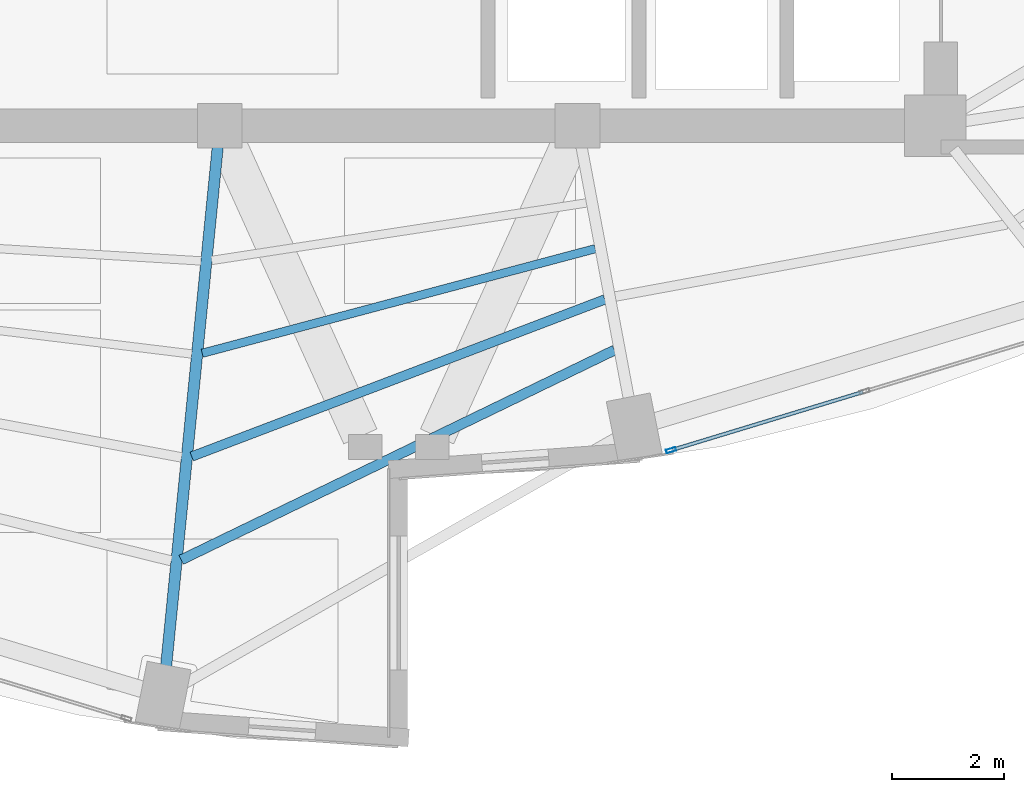
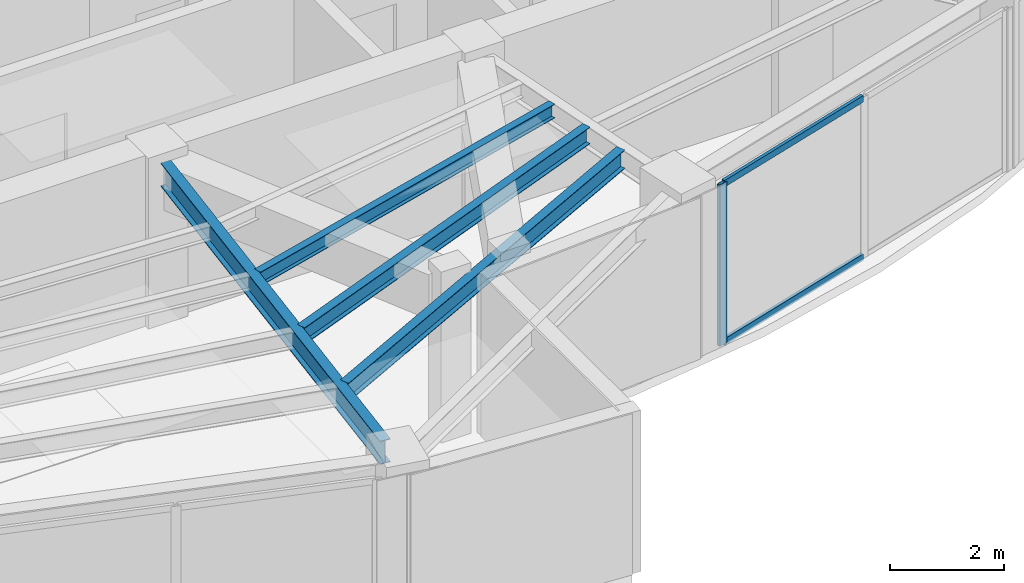
# One storey, part 6 of 23: 4 beams, 3 members, 1 element without a shape of its own.
"""IFC4 building model written with IfcOpenShell, lengths in metres."""

from ifc_helpers import new_model, si_unit, direction, frame, origin, origin_2d, place, context, subcontext, project, spatial, hollow_rectangle, i_section, extrude, material, layer, layer_set, material_profile, profile_set, type_object, element, aggregate, save


model = new_model("IFC4")

# Units and contexts
model_context = context("Model", 3, precision=1e-05, world=origin(), true_north=direction((0.0, 1.0)))
body_context = subcontext(model_context, "Body", "Model", "MODEL_VIEW")
ifc_project = project(units=[si_unit("LENGTHUNIT", "METRE"), si_unit("AREAUNIT", "SQUARE_METRE"), si_unit("VOLUMEUNIT", "CUBIC_METRE"), si_unit("PLANEANGLEUNIT", "RADIAN"), si_unit("MASSUNIT", "GRAM", prefix="KILO")], contexts=[model_context])

# Site, building, storey
site_placement = place(None, origin())
site = spatial("IfcSite", under=ifc_project, at=site_placement, CompositionType="ELEMENT")
building_placement = place(site_placement, origin())
building = spatial("IfcBuilding", under=site, at=building_placement, Name="Lazwardi Medical Tower", CompositionType="ELEMENT")
storey_placement = place(building_placement, frame((0.0, 0.0, 202.1279296875)))
storey = spatial("IfcBuildingStorey", under=building, at=storey_placement, Name="L52", CompositionType="ELEMENT", Elevation=202.1279296875)

# Beams
ifc_material_1 = material(Name="Steel S355", Category="steel")
ifc_material_profile_1 = material_profile(ifc_material_1, i_section(OverallWidth=0.199951171875, OverallDepth=0.5, WebThickness=0.01025390625, FlangeThickness=0.01611328125, at=origin_2d()), Name="IPE 500")
ifc_profile_set_1 = profile_set([ifc_material_profile_1], Name="Steel S355")
beam_type_1 = type_object("IfcBeamType", Name="BM-RG-W3", PredefinedType="BEAM", material=ifc_profile_set_1)
beam_1_placement = place(storey_placement, frame((31.8388671875, 10.734130859375, 3.197998046875), z_axis=(0.098954361922, 0.995091972763, 0.0), x_axis=(-0.995091972763, 0.098954361922, 0.0)))
element("IfcBeam", 1, at=beam_1_placement, inside=storey, type_object=beam_type_1, Name="Radial girder RG-04 R16 L52", PredefinedType="BEAM", context=body_context, shape_type="SweptSolid", body=[
    extrude(i_section(OverallWidth=0.199951171875, OverallDepth=0.5, WebThickness=0.01025390625, FlangeThickness=0.01611328125, at=origin_2d()), origin(), (0.0, 0.0, 1.0), 9.32861328125),
])
ifc_material_profile_2 = material_profile(ifc_material_1, i_section(OverallWidth=0.179931640625, OverallDepth=0.39990234375, WebThickness=0.008544921875, FlangeThickness=0.013427734375, at=origin_2d()), Name="IPE 400")
ifc_profile_set_2 = profile_set([ifc_material_profile_2], Name="Steel S355")
beam_type_2 = type_object("IfcBeamType", Name="BM-SJ-01", PredefinedType="JOIST", material=ifc_profile_set_2)
beam_2_placement = place(storey_placement, frame((32.10888671875, 12.632080078125, 3.248046875), z_axis=(0.900068885459, 0.435747635024, 0.0), x_axis=(-0.435747635024, 0.900068885459, 0.0)))
element("IfcBeam", 2, at=beam_2_placement, inside=storey, type_object=beam_type_2, Name="Secondary joist SJ-01 R1 B16 L52", PredefinedType="JOIST", context=body_context, shape_type="SweptSolid", body=[
    extrude(i_section(OverallWidth=0.179931640625, OverallDepth=0.39990234375, WebThickness=0.008544921875, FlangeThickness=0.013427734375, at=origin_2d()), origin(), (0.0, 0.0, 1.0), 8.612548828125),
])
ifc_material_profile_3 = material_profile(ifc_material_1, i_section(OverallWidth=0.169921875, OverallDepth=0.360107421875, WebThickness=0.008056640625, FlangeThickness=0.0126953125, at=origin_2d()), Name="IPE 360")
ifc_profile_set_3 = profile_set([ifc_material_profile_3], Name="Steel S355")
beam_type_3 = type_object("IfcBeamType", Name="BM-SJ-02", PredefinedType="JOIST", material=ifc_profile_set_3)
beam_3_placement = place(storey_placement, frame((32.296875, 14.48095703125, 3.26806640625), z_axis=(0.934714470268, 0.355399576633, 0.0), x_axis=(-0.355399576633, 0.934714470268, 0.0)))
element("IfcBeam", 3, at=beam_3_placement, inside=storey, type_object=beam_type_3, Name="Secondary joist SJ-02 R2 B16 L52", PredefinedType="JOIST", context=body_context, shape_type="SweptSolid", body=[
    extrude(i_section(OverallWidth=0.169921875, OverallDepth=0.360107421875, WebThickness=0.008056640625, FlangeThickness=0.0126953125, at=origin_2d()), origin(), (0.0, 0.0, 1.0), 7.908203125),
])
ifc_material_profile_4 = material_profile(ifc_material_1, i_section(OverallWidth=0.14990234375, OverallDepth=0.300048828125, WebThickness=0.007080078125, FlangeThickness=0.0107421875, at=origin_2d()), Name="IPE 300")
ifc_profile_set_4 = profile_set([ifc_material_profile_4], Name="Steel S355")
beam_type_4 = type_object("IfcBeamType", Name="BM-SJ-03", PredefinedType="JOIST", material=ifc_profile_set_4)
beam_4_placement = place(storey_placement, frame((32.484619140625, 16.328125, 3.298095703125), z_axis=(0.966369007826, 0.257159368316, 0.0), x_axis=(-0.257159368316, 0.966369007826, 0.0)))
element("IfcBeam", 4, at=beam_4_placement, inside=storey, type_object=beam_type_4, Name="Secondary joist SJ-03 R3 B16 L52", PredefinedType="JOIST", context=body_context, shape_type="SweptSolid", body=[
    extrude(i_section(OverallWidth=0.14990234375, OverallDepth=0.300048828125, WebThickness=0.007080078125, FlangeThickness=0.0107421875, at=origin_2d()), origin(), (0.0, 0.0, 1.0), 7.27685546875),
])

# Curtain wall, members
ifc_material_2 = material(Name="Anodised bronze aluminium and solar control glazing", Category="aluminium")
ifc_layer = layer(ifc_material_2, 0.18994140625)
ifc_layer_set = layer_set([ifc_layer], Name="Anodised bronze aluminium and solar control glazing")
curtain_wall_type = type_object("IfcCurtainWallType", Name="CW-SYS-04", PredefinedType="NOTDEFINED", material=ifc_layer_set)
curtain_wall_placement = place(storey_placement, origin())
curtain_wall = element("IfcCurtainWall", 5, at=curtain_wall_placement, inside=storey, type_object=curtain_wall_type, Name="L52 Unitised bronze curtain wall CW-04", PredefinedType="NOTDEFINED")
ifc_material_3 = material(Name="Anodised bronze aluminium", Category="aluminium")
ifc_material_profile_5 = material_profile(ifc_material_3, hollow_rectangle(XDim=0.06494140625, YDim=0.179931640625, WallThickness=0.00390625, at=origin_2d()), Name="ALU-MULLION 180x65x4")
ifc_profile_set_5 = profile_set([ifc_material_profile_5], Name="Anodised bronze aluminium")
member_type_1 = type_object("IfcMemberType", Name="CW-MUL-03", PredefinedType="MULLION", material=ifc_profile_set_5)
member_1_placement = place(storey_placement, frame((40.873046875, 14.593017578125, 0.0), z_axis=(0.0, 0.0, 1.0), x_axis=(-0.290581889515, 0.956850126972, 0.0)))
member_1 = element("IfcMember", 6, at=member_1_placement, type_object=member_type_1, Name="CW-04 mullion 1", PredefinedType="MULLION", context=body_context, shape_type="SweptSolid", body=[
    extrude(hollow_rectangle(XDim=0.06494140625, YDim=0.179931640625, WallThickness=0.00390625, at=origin_2d()), origin(), (0.0, 0.0, 1.0), 3.447998046875),
])
ifc_material_profile_6 = material_profile(ifc_material_3, hollow_rectangle(XDim=0.06494140625, YDim=0.139892578125, WallThickness=0.00341796875, at=origin_2d()), Name="ALU-TRANSOM 140x65x3.5")
ifc_profile_set_6 = profile_set([ifc_material_profile_6], Name="Anodised bronze aluminium")
member_type_2 = type_object("IfcMemberType", Name="CW-TRN-03", PredefinedType="USERDEFINED", material=ifc_profile_set_6)
member_2_placement = place(storey_placement, frame((40.904296875, 14.602294921875, 0.032470703125), z_axis=(0.956843409009, 0.290604010015, 0.0), x_axis=(-0.290604010015, 0.956843409009, 0.0)))
member_2 = element("IfcMember", 7, at=member_2_placement, type_object=member_type_2, Name="CW-04 transom 1.1", ObjectType="TRANSOM", PredefinedType="USERDEFINED", context=body_context, shape_type="SweptSolid", body=[
    extrude(hollow_rectangle(XDim=0.06494140625, YDim=0.139892578125, WallThickness=0.00341796875, at=origin_2d()), origin(), (0.0, 0.0, 1.0), 3.554443359375),
])
member_3_placement = place(storey_placement, frame((40.904296875, 14.602294921875, 3.41552734375), z_axis=(0.956843409009, 0.290604010015, 0.0), x_axis=(-0.290604010015, 0.956843409009, 0.0)))
member_3 = element("IfcMember", 8, at=member_3_placement, type_object=member_type_2, Name="CW-04 transom 1.2", ObjectType="TRANSOM", PredefinedType="USERDEFINED", context=body_context, shape_type="SweptSolid", body=[
    extrude(hollow_rectangle(XDim=0.06494140625, YDim=0.139892578125, WallThickness=0.00341796875, at=origin_2d()), origin(), (0.0, 0.0, 1.0), 3.554443359375),
])
aggregate(curtain_wall, [member_1, member_2, member_3])

save(model, "model.ifc")
